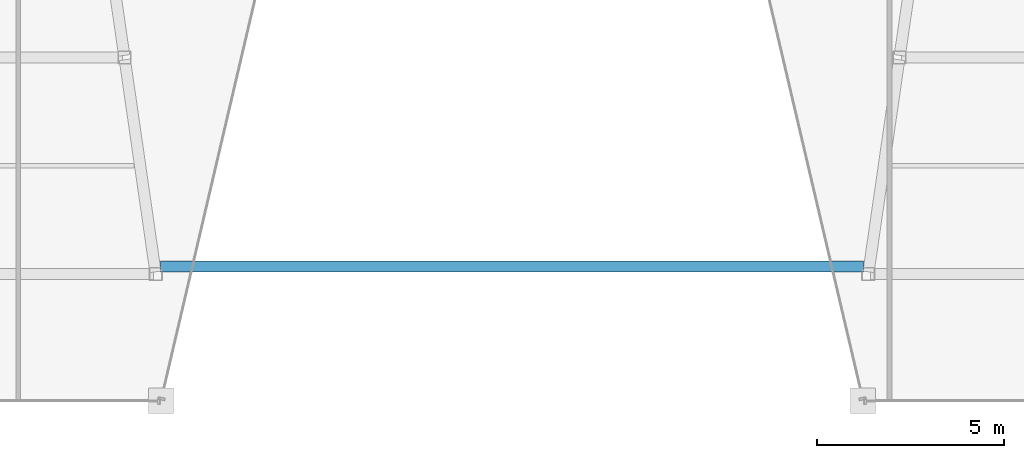
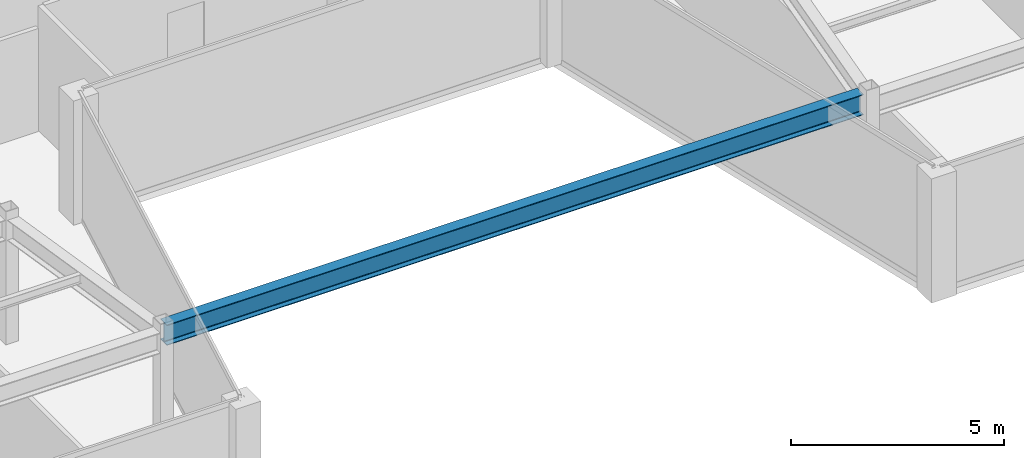
# One storey, part 7 of 32: 1 beam.
"""IFC4 building model written with IfcOpenShell, lengths in metres."""

from ifc_helpers import new_model, si_unit, direction, frame, origin, origin_2d, place, context, subcontext, project, spatial, i_section, extrude, material, material_profile, profile_set, type_object, element, save


model = new_model("IFC4")

# Units and contexts
model_context = context("Model", 3, precision=1e-05, world=origin(), true_north=direction((0.0, 1.0)))
body_context = subcontext(model_context, "Body", "Model", "MODEL_VIEW")
ifc_project = project(units=[si_unit("LENGTHUNIT", "METRE"), si_unit("AREAUNIT", "SQUARE_METRE"), si_unit("VOLUMEUNIT", "CUBIC_METRE"), si_unit("PLANEANGLEUNIT", "RADIAN"), si_unit("MASSUNIT", "GRAM", prefix="KILO")], contexts=[model_context])

# Site, building, storey
site_placement = place(None, origin())
site = spatial("IfcSite", under=ifc_project, at=site_placement, CompositionType="ELEMENT")
building_placement = place(site_placement, origin())
building = spatial("IfcBuilding", under=site, at=building_placement, Name="Saevonmaru Cultural Tower", CompositionType="ELEMENT")
storey_placement = place(building_placement, frame((0.0, 0.0, 261.0)))
storey = spatial("IfcBuildingStorey", under=building, at=storey_placement, Name="L61", CompositionType="ELEMENT", Elevation=261.0)

# Beam
ifc_material = material(Name="Steel SM355", Category="steel")
ifc_material_profile = material_profile(ifc_material, i_section(OverallWidth=0.300048828125, OverallDepth=0.587890625, WebThickness=0.011962890625, FlangeThickness=0.02001953125, FilletRadius=0.02392578125, at=origin_2d()), Name="H-588x300x12x20")
ifc_profile_set = profile_set([ifc_material_profile], Name="Steel SM355")
beam_type = type_object("IfcBeamType", Name="BM-G-H588", PredefinedType="BEAM", material=ifc_profile_set)
beam_placement = place(storey_placement, frame((20.5830078125, 26.39990234375, 3.256103515625), z_axis=(1.0, 0.0, 0.0), x_axis=(0.0, 1.0, 0.0)))
element("IfcBeam", 1, at=beam_placement, inside=storey, type_object=beam_type, Name="L61 Central Link Girder", PredefinedType="BEAM", context=body_context, shape_type="SweptSolid", body=[
    extrude(i_section(OverallWidth=0.300048828125, OverallDepth=0.587890625, WebThickness=0.011962890625, FlangeThickness=0.02001953125, FilletRadius=0.02392578125, at=origin_2d()), origin(), (0.0, 0.0, 1.0), 18.833984375),
])

save(model, "model.ifc")
